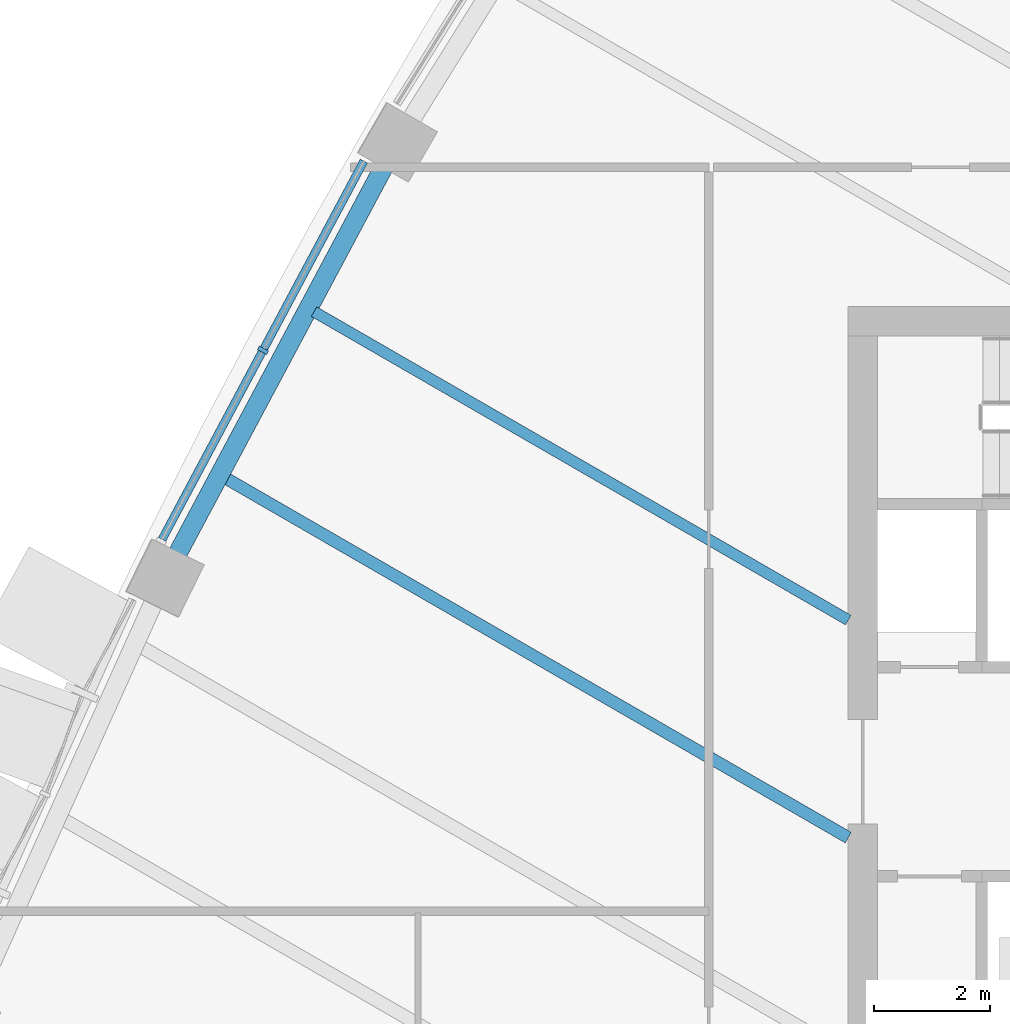
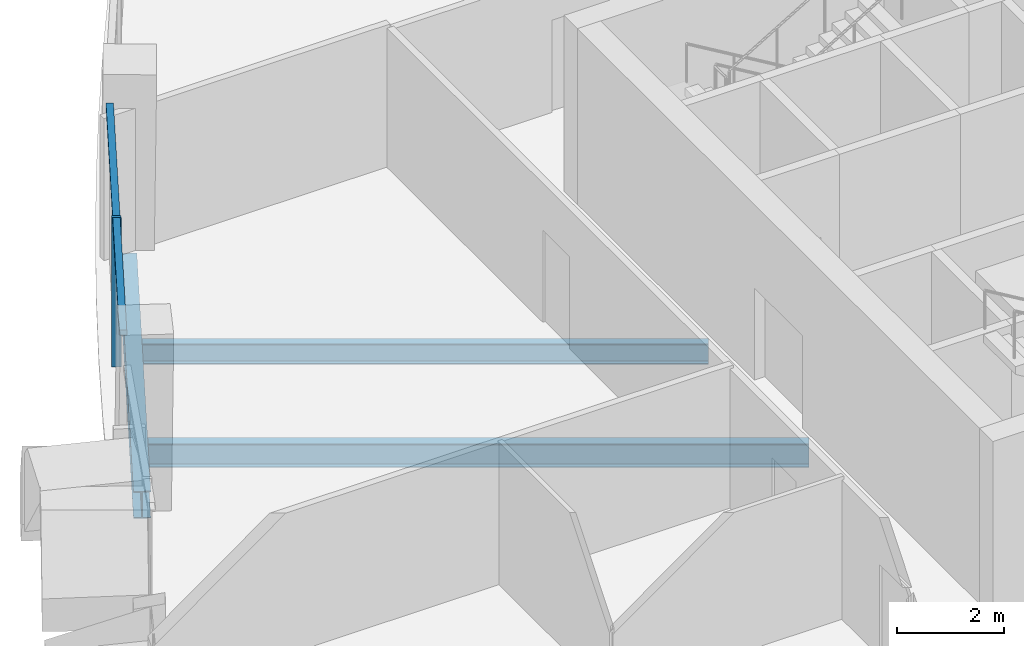
# One storey, part 3 of 17: 3 beams, 3 members, 1 element without a shape of its own.
"""IFC4 building model written with IfcOpenShell, lengths in metres."""

from ifc_helpers import new_model, si_unit, direction, frame, origin, origin_2d, place, context, subcontext, project, spatial, rectangle, i_section, extrude, material, layer, layer_set, material_profile, profile_set, type_object, element, aggregate, save


model = new_model("IFC4")

# Units and contexts
model_context = context("Model", 3, precision=1e-05, world=origin(), true_north=direction((0.0, 1.0)))
body_context = subcontext(model_context, "Body", "Model", "MODEL_VIEW")
ifc_project = project(units=[si_unit("LENGTHUNIT", "METRE"), si_unit("AREAUNIT", "SQUARE_METRE"), si_unit("VOLUMEUNIT", "CUBIC_METRE"), si_unit("PLANEANGLEUNIT", "RADIAN"), si_unit("MASSUNIT", "GRAM", prefix="KILO")], contexts=[model_context])

# Site, building, storey
site_placement = place(None, origin())
site = spatial("IfcSite", under=ifc_project, at=site_placement, CompositionType="ELEMENT")
building_placement = place(site_placement, origin())
building = spatial("IfcBuilding", under=site, at=building_placement, Name="Sierra Prisma Convention Tower", CompositionType="ELEMENT")
storey_placement = place(building_placement, frame((0.0, 0.0, 153.800048828125)))
storey = spatial("IfcBuildingStorey", under=building, at=storey_placement, Name="L33", CompositionType="ELEMENT", Elevation=153.800048828125)

# Curtain wall, members
ifc_material_1 = material(Name="Aluminium and glass curtain wall", Category="aluminium")
ifc_layer = layer(ifc_material_1, 0.179931640625)
ifc_layer_set = layer_set([ifc_layer], Name="CW-1 Plain shaft curtain wall")
curtain_wall_type = type_object("IfcCurtainWallType", Name="CW-1 Plain shaft curtain wall", PredefinedType="NOTDEFINED", material=ifc_layer_set)
curtain_wall_placement = place(storey_placement, origin())
curtain_wall = element("IfcCurtainWall", 1, at=curtain_wall_placement, inside=storey, type_object=curtain_wall_type, Name="CW-1 NW4 L33", PredefinedType="NOTDEFINED")
ifc_material_2 = material(Name="Aluminium 6063-T6 bronze anodised", Category="aluminium")
ifc_material_profile_1 = material_profile(ifc_material_2, rectangle(XDim=0.179931640625, YDim=0.070068359375, at=origin_2d()), Name="ALU MULLION 70x180")
ifc_profile_set_1 = profile_set([ifc_material_profile_1], Name="Aluminium 6063-T6 bronze anodised")
member_type_1 = type_object("IfcMemberType", Name="CW mullion bronze", PredefinedType="MULLION", material=ifc_profile_set_1)
member_1_placement = place(storey_placement, frame((-21.06982421875, 7.251220703125, 0.0), z_axis=(0.0, 0.0, 1.0), x_axis=(0.882340854508, -0.470610897097, 0.0)))
member_1 = element("IfcMember", 2, at=member_1_placement, type_object=member_type_1, Name="CW-1 mullion NW4.2", PredefinedType="MULLION", context=body_context, shape_type="SweptSolid", body=[
    extrude(rectangle(XDim=0.179931640625, YDim=0.070068359375, at=origin_2d()), origin(), (0.0, 0.0, 1.0), 3.39990234375),
])
ifc_material_3 = material(Name="Aluminium 6063-T6 bronze anodised", Category="aluminium")
ifc_material_profile_2 = material_profile(ifc_material_3, rectangle(XDim=0.139892578125, YDim=0.1201171875, at=origin_2d()), Name="ALU TRANSOM 120x140")
ifc_profile_set_2 = profile_set([ifc_material_profile_2], Name="Aluminium 6063-T6 bronze anodised")
member_type_2 = type_object("IfcMemberType", Name="CW transom bronze", PredefinedType="USERDEFINED", material=ifc_profile_set_2)
member_2_placement = place(storey_placement, frame((-19.33447265625, 10.5048828125, 3.33984375), z_axis=(-0.470588235294, -0.882352941176, 0.0), x_axis=(0.882352941176, -0.470588235294, 0.0)))
member_2 = element("IfcMember", 3, at=member_2_placement, type_object=member_type_2, Name="CW-1 transom NW4.1", ObjectType="TRANSOM", PredefinedType="USERDEFINED", context=body_context, shape_type="SweptSolid", body=[
    extrude(rectangle(XDim=0.139892578125, YDim=0.1201171875, at=origin_2d()), origin(), (0.0, 0.0, 1.0), 3.65234375),
])
member_3_placement = place(storey_placement, frame((-21.086181640625, 7.220458984375, 3.33984375), z_axis=(-0.470612519136, -0.882339989365, 0.0), x_axis=(0.882339989365, -0.470612519136, 0.0)))
member_3 = element("IfcMember", 4, at=member_3_placement, type_object=member_type_2, Name="CW-1 transom NW4.2", ObjectType="TRANSOM", PredefinedType="USERDEFINED", context=body_context, shape_type="SweptSolid", body=[
    extrude(rectangle(XDim=0.139892578125, YDim=0.1201171875, at=origin_2d()), origin(), (0.0, 0.0, 1.0), 3.652587890625),
])
aggregate(curtain_wall, [member_1, member_2, member_3])

# Beams
ifc_material_4 = material(Name="Steel ASTM A992 Gr 50", Category="steel")
ifc_material_profile_3 = material_profile(ifc_material_4, i_section(OverallWidth=0.18994140625, OverallDepth=0.45703125, WebThickness=0.009033203125, FlangeThickness=0.014404296875, at=origin_2d()), Name="W460x74")
ifc_profile_set_3 = profile_set([ifc_material_profile_3], Name="Steel ASTM A992 Gr 50")
beam_type_1 = type_object("IfcBeamType", Name="Floor joist W460x74", PredefinedType="JOIST", material=ifc_profile_set_3)
beam_1_placement = place(storey_placement, frame((-20.191650390625, 7.915283203125, -0.378662109375), z_axis=(0.86602202007, -0.50000586072, 0.0), x_axis=(0.50000586072, 0.86602202007, 0.0)))
element("IfcBeam", 5, at=beam_1_placement, inside=storey, type_object=beam_type_1, Name="Floor joist L33 NW09", PredefinedType="JOIST", context=body_context, shape_type="SweptSolid", body=[
    extrude(i_section(OverallWidth=0.18994140625, OverallDepth=0.45703125, WebThickness=0.009033203125, FlangeThickness=0.014404296875, at=origin_2d()), origin(), (0.0, 0.0, 1.0), 10.613525390625),
])
ifc_material_5 = material(Name="Steel ASTM A992 Gr 50", Category="steel")
ifc_material_profile_4 = material_profile(ifc_material_5, i_section(OverallWidth=0.208984375, OverallDepth=0.532958984375, WebThickness=0.01025390625, FlangeThickness=0.015625, at=origin_2d()), Name="W530x92")
ifc_profile_set_4 = profile_set([ifc_material_profile_4], Name="Steel ASTM A992 Gr 50")
beam_type_2 = type_object("IfcBeamType", Name="Floor joist W530x92", PredefinedType="JOIST", material=ifc_profile_set_4)
beam_2_placement = place(storey_placement, frame((-21.718017578125, 5.0537109375, -0.41650390625), z_axis=(0.866027574869, -0.499996239553, 0.0), x_axis=(0.499996239553, 0.866027574869, 0.0)))
element("IfcBeam", 6, at=beam_2_placement, inside=storey, type_object=beam_type_2, Name="Floor joist L33 NW10", PredefinedType="JOIST", context=body_context, shape_type="SweptSolid", body=[
    extrude(i_section(OverallWidth=0.208984375, OverallDepth=0.532958984375, WebThickness=0.01025390625, FlangeThickness=0.015625, at=origin_2d()), origin(), (0.0, 0.0, 1.0), 12.3759765625),
])
ifc_material_6 = material(Name="Steel ASTM A992 Gr 50", Category="steel")
ifc_material_profile_5 = material_profile(ifc_material_6, i_section(OverallWidth=0.324951171875, OverallDepth=0.615966796875, WebThickness=0.013916015625, FlangeThickness=0.021484375, at=origin_2d()), Name="W610x174")
ifc_profile_set_5 = profile_set([ifc_material_profile_5], Name="Steel ASTM A992 Gr 50")
beam_type_3 = type_object("IfcBeamType", Name="Spandrel beam W610x174", PredefinedType="BEAM", material=ifc_profile_set_5)
beam_3_placement = place(storey_placement, frame((-18.942138671875, 10.497314453125, -0.4580078125), z_axis=(-0.470591508126, -0.882351195659, 0.0), x_axis=(0.882351195659, -0.470591508126, 0.0)))
element("IfcBeam", 7, at=beam_3_placement, inside=storey, type_object=beam_type_3, Name="Spandrel L33-16", PredefinedType="BEAM", context=body_context, shape_type="SweptSolid", body=[
    extrude(i_section(OverallWidth=0.324951171875, OverallDepth=0.615966796875, WebThickness=0.013916015625, FlangeThickness=0.021484375, at=origin_2d()), origin(), (0.0, 0.0, 1.0), 7.74365234375),
])

save(model, "model.ifc")
